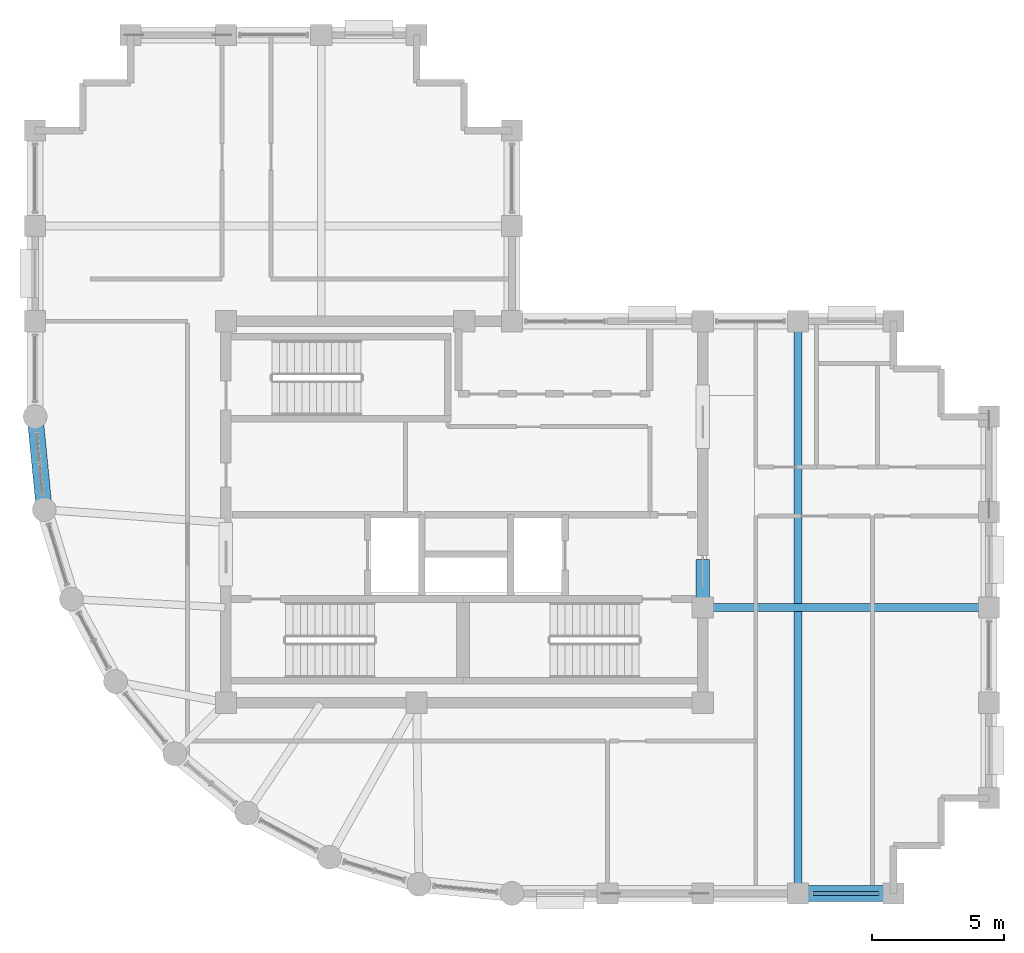
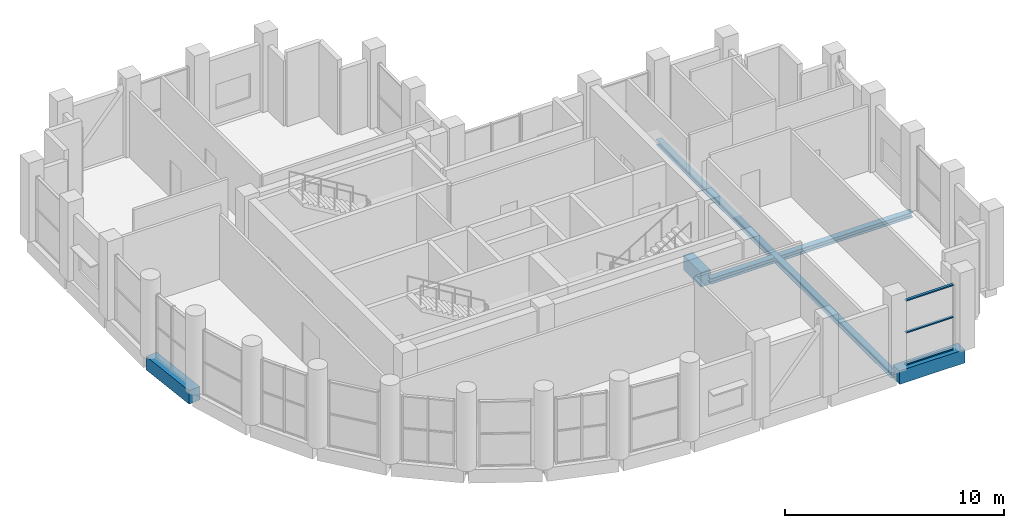
# One storey, part 5 of 18: 5 beams, 3 members, 1 element without a shape of its own.
"""IFC4 building model written with IfcOpenShell, lengths in metres."""

from ifc_helpers import new_model, si_unit, direction, frame, origin, origin_2d, place, context, subcontext, project, spatial, rectangle, hollow_rectangle, i_section, extrude, material, layer, layer_set, material_profile, profile_set, type_object, element, aggregate, save


model = new_model("IFC4")

# Units and contexts
model_context = context("Model", 3, precision=1e-05, world=origin(), true_north=direction((0.0, 1.0)))
body_context = subcontext(model_context, "Body", "Model", "MODEL_VIEW")
ifc_project = project(units=[si_unit("LENGTHUNIT", "METRE"), si_unit("AREAUNIT", "SQUARE_METRE"), si_unit("VOLUMEUNIT", "CUBIC_METRE"), si_unit("PLANEANGLEUNIT", "RADIAN"), si_unit("MASSUNIT", "GRAM", prefix="KILO")], contexts=[model_context])

# Site, building, storey
site_placement = place(None, origin())
site = spatial("IfcSite", under=ifc_project, at=site_placement, CompositionType="ELEMENT")
building_placement = place(site_placement, origin())
building = spatial("IfcBuilding", under=site, at=building_placement, Name="Solnavia Interchange Tower", CompositionType="ELEMENT")
storey_placement = place(building_placement, frame((0.0, 0.0, 295.39990234375)))
storey = spatial("IfcBuildingStorey", under=building, at=storey_placement, Name="L75", CompositionType="ELEMENT", Elevation=295.39990234375)

# Beams
ifc_material_1 = material(Name="Concrete C50/60", Category="concrete")
ifc_material_profile_1 = material_profile(ifc_material_1, rectangle(XDim=0.5, YDim=0.800048828125, at=origin_2d()), Name="RC 500x800")
ifc_profile_set_1 = profile_set([ifc_material_profile_1], Name="Concrete C50/60")
beam_type_1 = type_object("IfcBeamType", Name="Beam-Coupling-RC500x800", PredefinedType="LINTEL", material=ifc_profile_set_1)
beam_1_placement = place(storey_placement, frame((32.39990234375, 14.60009765625, -0.39990234375), z_axis=(0.0, 1.0, 0.0), x_axis=(-1.0, 0.0, 0.0)))
element("IfcBeam", 1, at=beam_1_placement, inside=storey, type_object=beam_type_1, Name="CPB-L75-E1 Core coupling lintel beam", PredefinedType="LINTEL", context=body_context, shape_type="SweptSolid", body=[
    extrude(rectangle(XDim=0.5, YDim=0.800048828125, at=origin_2d()), origin(), (0.0, 0.0, 1.0), 1.599853515625),
])
ifc_material_2 = material(Name="Steel S460", Category="steel")
ifc_material_profile_2 = material_profile(ifc_material_2, i_section(OverallWidth=0.300048828125, OverallDepth=0.300048828125, WebThickness=0.010986328125, FlangeThickness=0.01904296875, FilletRadius=0.027099609375, at=origin_2d()), Name="HEB 300")
ifc_profile_set_2 = profile_set([ifc_material_profile_2], Name="Steel S460")
beam_type_2 = type_object("IfcBeamType", Name="Beam-Girder-HEB300", PredefinedType="BEAM", material=ifc_profile_set_2)
beam_2_placement = place(storey_placement, frame((32.47998046875, 14.39990234375, -0.39990234375), z_axis=(1.0, 0.0, 0.0), x_axis=(0.0, 1.0, 0.0)))
element("IfcBeam", 2, at=beam_2_placement, inside=storey, type_object=beam_type_2, Name="GRD-L75-ES01 East wing spine girder", PredefinedType="BEAM", context=body_context, shape_type="SweptSolid", body=[
    extrude(i_section(OverallWidth=0.300048828125, OverallDepth=0.300048828125, WebThickness=0.010986328125, FlangeThickness=0.01904296875, FilletRadius=0.027099609375, at=origin_2d()), origin(), (0.0, 0.0, 1.0), 10.64013671875),
])
ifc_material_3 = material(Name="Steel S355", Category="steel")
ifc_material_profile_3 = material_profile(ifc_material_3, i_section(OverallWidth=0.300048828125, OverallDepth=0.31005859375, WebThickness=0.009033203125, FlangeThickness=0.015380859375, FilletRadius=0.027099609375, at=origin_2d()), Name="HEA 320")
ifc_profile_set_3 = profile_set([ifc_material_profile_3], Name="Steel S355")
beam_type_3 = type_object("IfcBeamType", Name="Beam-Primary-HEA320", PredefinedType="BEAM", material=ifc_profile_set_3)
beam_3_placement = place(storey_placement, frame((36.0, 3.679931640625, -0.40478515625), z_axis=(0.0, 1.0, 0.0), x_axis=(-1.0, 0.0, 0.0)))
element("IfcBeam", 3, at=beam_3_placement, inside=storey, type_object=beam_type_3, Name="GRD-L75-EW02 East wing primary floor girder", PredefinedType="BEAM", context=body_context, shape_type="SweptSolid", body=[
    extrude(i_section(OverallWidth=0.300048828125, OverallDepth=0.31005859375, WebThickness=0.009033203125, FlangeThickness=0.015380859375, FilletRadius=0.027099609375, at=origin_2d()), origin(), (0.0, 0.0, 1.0), 21.440185546875),
])
ifc_material_profile_4 = material_profile(ifc_material_1, rectangle(XDim=0.60009765625, YDim=0.75, at=origin_2d()), Name="RC 600x750")
ifc_profile_set_4 = profile_set([ifc_material_profile_4], Name="Concrete C50/60")
beam_type_4 = type_object("IfcBeamType", Name="Beam-Spandrel-RC600x750", PredefinedType="SPANDREL", material=ifc_profile_set_4)
beam_4_placement = place(storey_placement, frame((7.207763671875, 21.5205078125, -0.375), z_axis=(0.098040038117, -0.995182471171, 0.0), x_axis=(0.995182471171, 0.098040038117, 0.0)))
element("IfcBeam", 4, at=beam_4_placement, inside=storey, type_object=beam_type_4, Name="SPB-L75-01 Framed-tube perimeter spandrel beam", PredefinedType="SPANDREL", context=body_context, shape_type="SweptSolid", body=[
    extrude(rectangle(XDim=0.60009765625, YDim=0.75, at=origin_2d()), origin(), (0.0, 0.0, 1.0), 3.369140625),
])
beam_5_placement = place(storey_placement, frame((36.080078125, 3.60009765625, -0.375), z_axis=(1.0, 0.0, 0.0), x_axis=(0.0, 1.0, 0.0)))
element("IfcBeam", 5, at=beam_5_placement, inside=storey, type_object=beam_type_4, Name="SPB-L75-12 Framed-tube perimeter spandrel beam", PredefinedType="SPANDREL", context=body_context, shape_type="SweptSolid", body=[
    extrude(rectangle(XDim=0.60009765625, YDim=0.75, at=origin_2d()), origin(), (0.0, 0.0, 1.0), 3.43994140625),
])

# Curtain wall, members
ifc_material_4 = material(Name="Aluminium Alloy 6063-T6", Category="aluminium")
ifc_layer = layer(ifc_material_4, 0.219970703125)
ifc_layer_set = layer_set([ifc_layer], Name="Aluminium Alloy 6063-T6")
curtain_wall_type = type_object("IfcCurtainWallType", Name="CurtainWall-Tower-CTW3", PredefinedType="NOTDEFINED", material=ifc_layer_set)
curtain_wall_placement = place(storey_placement, origin())
curtain_wall = element("IfcCurtainWall", 6, at=curtain_wall_placement, inside=storey, type_object=curtain_wall_type, Name="CTW-L75-S04 CTW-3 curtain wall", PredefinedType="NOTDEFINED")
ifc_material_profile_5 = material_profile(ifc_material_4, hollow_rectangle(XDim=0.06494140625, YDim=0.139892578125, WallThickness=0.00390625, at=origin_2d()), Name="ALU 140x65x4")
ifc_profile_set_5 = profile_set([ifc_material_profile_5], Name="Aluminium Alloy 6063-T6")
member_type = type_object("IfcMemberType", Name="CW-Transom-CWT-3", PredefinedType="USERDEFINED", material=ifc_profile_set_5)
member_1_placement = place(storey_placement, frame((36.554931640625, 3.60009765625, 0.03271484375), z_axis=(1.0, 0.0, 0.0), x_axis=(0.0, 0.0, 1.0)))
member_1 = element("IfcMember", 7, at=member_1_placement, type_object=member_type, Name="CTW-3 transom 1.1", ObjectType="TRANSOM", PredefinedType="USERDEFINED", context=body_context, shape_type="SweptSolid", body=[
    extrude(hollow_rectangle(XDim=0.06494140625, YDim=0.139892578125, WallThickness=0.00390625, at=origin_2d()), origin(), (0.0, 0.0, 1.0), 2.489990234375),
])
member_2_placement = place(storey_placement, frame((36.554931640625, 3.60009765625, 1.815185546875), z_axis=(1.0, 0.0, 0.0), x_axis=(0.0, 0.0, 1.0)))
member_2 = element("IfcMember", 8, at=member_2_placement, type_object=member_type, Name="CTW-3 transom 1.2", ObjectType="TRANSOM", PredefinedType="USERDEFINED", context=body_context, shape_type="SweptSolid", body=[
    extrude(hollow_rectangle(XDim=0.06494140625, YDim=0.139892578125, WallThickness=0.00390625, at=origin_2d()), origin(), (0.0, 0.0, 1.0), 2.489990234375),
])
member_3_placement = place(storey_placement, frame((36.554931640625, 3.60009765625, 3.59765625), z_axis=(1.0, 0.0, 0.0), x_axis=(0.0, 0.0, 1.0)))
member_3 = element("IfcMember", 9, at=member_3_placement, type_object=member_type, Name="CTW-3 transom 1.3", ObjectType="TRANSOM", PredefinedType="USERDEFINED", context=body_context, shape_type="SweptSolid", body=[
    extrude(hollow_rectangle(XDim=0.06494140625, YDim=0.139892578125, WallThickness=0.00390625, at=origin_2d()), origin(), (0.0, 0.0, 1.0), 2.489990234375),
])
aggregate(curtain_wall, [member_1, member_2, member_3])

save(model, "model.ifc")
